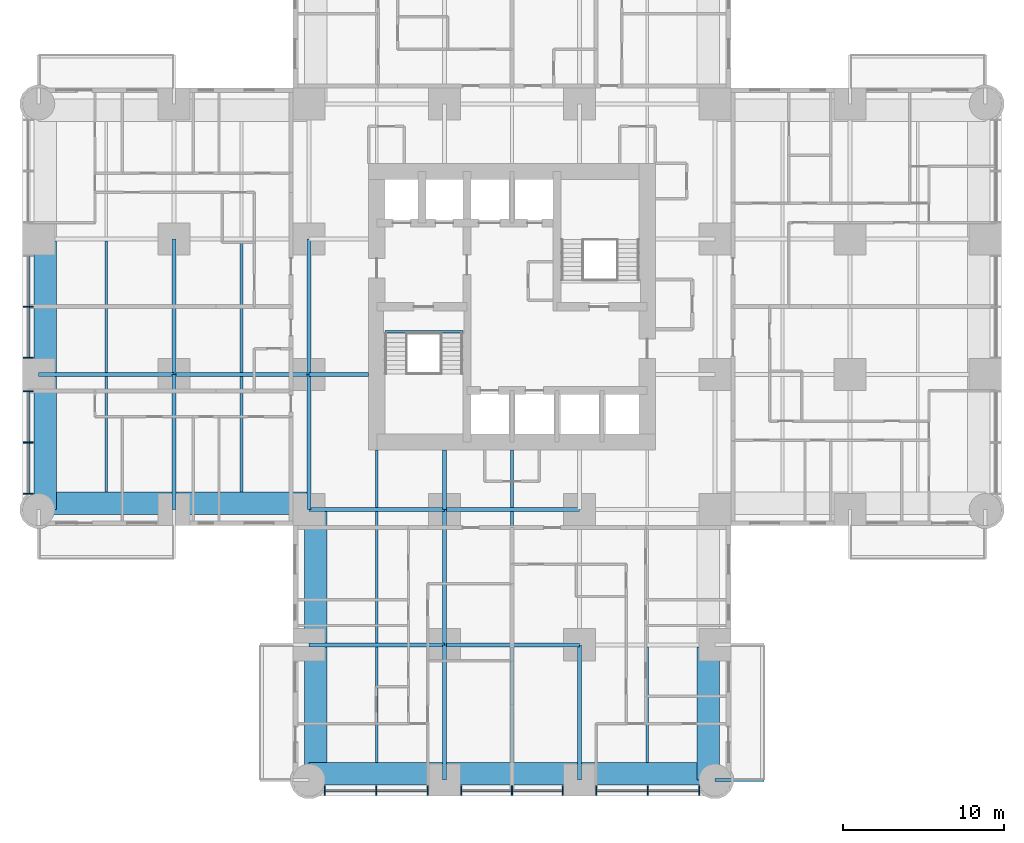
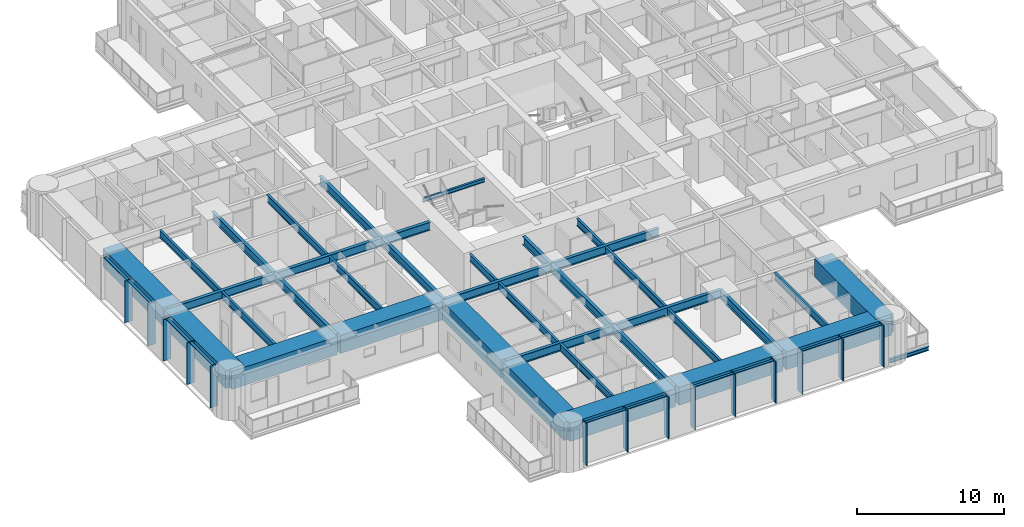
# One storey, part 2 of 17: 38 beams, 24 members, 2 elements without a shape of their own.
"""IFC4 building model written with IfcOpenShell, lengths in metres."""

from ifc_helpers import new_model, si_unit, direction, frame, origin, origin_2d, place, context, subcontext, project, spatial, rectangle, i_section, extrude, material, material_profile, profile_set, type_object, element, aggregate, save


model = new_model("IFC4")

# Units and contexts
model_context = context("Model", 3, precision=1e-05, world=origin(), true_north=direction((0.0, 1.0)))
body_context = subcontext(model_context, "Body", "Model", "MODEL_VIEW")
ifc_project = project(units=[si_unit("LENGTHUNIT", "METRE"), si_unit("AREAUNIT", "SQUARE_METRE"), si_unit("VOLUMEUNIT", "CUBIC_METRE"), si_unit("PLANEANGLEUNIT", "RADIAN"), si_unit("MASSUNIT", "GRAM", prefix="KILO")], contexts=[model_context])

# Site, building, storey
site_placement = place(None, origin())
site = spatial("IfcSite", under=ifc_project, at=site_placement, CompositionType="ELEMENT")
building_placement = place(site_placement, origin())
building = spatial("IfcBuilding", under=site, at=building_placement, Name="Torre Alcanfor", CompositionType="ELEMENT")
storey_placement = place(building_placement, frame((0.0, 0.0, 95.699951171875)))
storey = spatial("IfcBuildingStorey", under=building, at=storey_placement, Name="L24", CompositionType="ELEMENT", Elevation=95.699951171875)

# Beam
ifc_material_1 = material(Name="Steel ASTM A992 Grade 50", Category="steel")
ifc_material_profile_1 = material_profile(ifc_material_1, i_section(OverallWidth=0.205322265625, OverallDepth=0.309814453125, WebThickness=0.00927734375, FlangeThickness=0.016357421875, at=origin_2d()), Name="W12x50")
ifc_profile_set_1 = profile_set([ifc_material_profile_1], Name="Steel ASTM A992 Grade 50")
beam_type_1 = type_object("IfcBeamType", Name="Balcony cantilever beam W12x50", PredefinedType="BEAM", material=ifc_profile_set_1)
beam_1_placement = place(storey_placement, frame((42.0, 0.0, -0.35498046875), z_axis=(1.0, 0.0, 0.0), x_axis=(0.0, 1.0, 0.0)))
element("IfcBeam", 1, at=beam_1_placement, inside=storey, type_object=beam_type_1, Name="Balcony cantilever beam L24-S1 2", PredefinedType="BEAM", context=body_context, shape_type="SweptSolid", body=[
    extrude(i_section(OverallWidth=0.205322265625, OverallDepth=0.309814453125, WebThickness=0.00927734375, FlangeThickness=0.016357421875, at=origin_2d()), origin(), (0.0, 0.0, 1.0), 3.050048828125),
])

# Curtain wall, members
ifc_material_2 = material(Name="Aluminium and glass", Category="aluminium")
curtain_wall_type = type_object("IfcCurtainWallType", Name="CW-A unitised apartment glazing with vertical FIN", PredefinedType="NOTDEFINED", material=ifc_material_2)
curtain_wall_1_placement = place(storey_placement, origin())
curtain_wall_1 = element("IfcCurtainWall", 2, at=curtain_wall_1_placement, inside=storey, type_object=curtain_wall_type, Name="Curtain wall CW-A L24 2", PredefinedType="NOTDEFINED")
ifc_material_3 = material(Name="Bronze anodised aluminium", Category="aluminium")
ifc_material_profile_2 = material_profile(ifc_material_3, rectangle(XDim=0.60009765625, YDim=0.06494140625, at=origin_2d()), Name="CW-A mullion 65x600")
ifc_profile_set_2 = profile_set([ifc_material_profile_2], Name="Bronze anodised aluminium")
member_type_1 = type_object("IfcMemberType", Name="CW-A mullion with vertical FIN 65x600", PredefinedType="MULLION", material=ifc_profile_set_2)
member_1_placement = place(storey_placement, frame((-0.64990234375, 29.39990234375, 0.0), z_axis=(0.0, 0.0, 1.0), x_axis=(1.0, 0.0, 0.0)))
member_1 = element("IfcMember", 3, at=member_1_placement, type_object=member_type_1, Name="CW-A mullion 2.2", PredefinedType="MULLION", context=body_context, shape_type="SweptSolid", body=[
    extrude(rectangle(XDim=0.60009765625, YDim=0.06494140625, at=origin_2d()), origin(), (0.0, 0.0, 1.0), 3.449951171875),
])
member_2_placement = place(storey_placement, frame((-0.64990234375, 26.237548828125, 0.0), z_axis=(0.0, 0.0, 1.0), x_axis=(1.0, 0.0, 0.0)))
member_2 = element("IfcMember", 4, at=member_2_placement, type_object=member_type_1, Name="CW-A mullion 2.3", PredefinedType="MULLION", context=body_context, shape_type="SweptSolid", body=[
    extrude(rectangle(XDim=0.60009765625, YDim=0.06494140625, at=origin_2d()), origin(), (0.0, 0.0, 1.0), 3.449951171875),
])
member_3_placement = place(storey_placement, frame((-0.64990234375, 24.16259765625, 0.0), z_axis=(0.0, 0.0, 1.0), x_axis=(1.0, 0.0, 0.0)))
member_3 = element("IfcMember", 5, at=member_3_placement, type_object=member_type_1, Name="CW-A mullion 3.1", PredefinedType="MULLION", context=body_context, shape_type="SweptSolid", body=[
    extrude(rectangle(XDim=0.60009765625, YDim=0.06494140625, at=origin_2d()), origin(), (0.0, 0.0, 1.0), 3.449951171875),
])
member_4_placement = place(storey_placement, frame((-0.64990234375, 20.968505859375, 0.0), z_axis=(0.0, 0.0, 1.0), x_axis=(1.0, 0.0, 0.0)))
member_4 = element("IfcMember", 6, at=member_4_placement, type_object=member_type_1, Name="CW-A mullion 3.2", PredefinedType="MULLION", context=body_context, shape_type="SweptSolid", body=[
    extrude(rectangle(XDim=0.60009765625, YDim=0.06494140625, at=origin_2d()), origin(), (0.0, 0.0, 1.0), 3.449951171875),
])
member_5_placement = place(storey_placement, frame((-0.64990234375, 17.7744140625, 0.0), z_axis=(0.0, 0.0, 1.0), x_axis=(1.0, 0.0, 0.0)))
member_5 = element("IfcMember", 7, at=member_5_placement, type_object=member_type_1, Name="CW-A mullion 3.3", PredefinedType="MULLION", context=body_context, shape_type="SweptSolid", body=[
    extrude(rectangle(XDim=0.60009765625, YDim=0.06494140625, at=origin_2d()), origin(), (0.0, 0.0, 1.0), 3.449951171875),
])

curtain_wall_2_placement = place(storey_placement, origin())
curtain_wall_2 = element("IfcCurtainWall", 8, at=curtain_wall_2_placement, inside=storey, type_object=curtain_wall_type, Name="Curtain wall CW-A L24 5", PredefinedType="NOTDEFINED")
member_6_placement = place(storey_placement, frame((17.7744140625, -0.64990234375, 0.0), z_axis=(0.0, 0.0, 1.0), x_axis=(0.0, 1.0, 0.0)))
member_6 = element("IfcMember", 9, at=member_6_placement, type_object=member_type_1, Name="CW-A mullion 1.1", PredefinedType="MULLION", context=body_context, shape_type="SweptSolid", body=[
    extrude(rectangle(XDim=0.60009765625, YDim=0.06494140625, at=origin_2d()), origin(), (0.0, 0.0, 1.0), 3.449951171875),
])
member_7_placement = place(storey_placement, frame((20.968505859375, -0.64990234375, 0.0), z_axis=(0.0, 0.0, 1.0), x_axis=(0.0, 1.0, 0.0)))
member_7 = element("IfcMember", 10, at=member_7_placement, type_object=member_type_1, Name="CW-A mullion 1.2", PredefinedType="MULLION", context=body_context, shape_type="SweptSolid", body=[
    extrude(rectangle(XDim=0.60009765625, YDim=0.06494140625, at=origin_2d()), origin(), (0.0, 0.0, 1.0), 3.449951171875),
])
member_8_placement = place(storey_placement, frame((24.16259765625, -0.64990234375, 0.0), z_axis=(0.0, 0.0, 1.0), x_axis=(0.0, 1.0, 0.0)))
member_8 = element("IfcMember", 11, at=member_8_placement, type_object=member_type_1, Name="CW-A mullion 1.3", PredefinedType="MULLION", context=body_context, shape_type="SweptSolid", body=[
    extrude(rectangle(XDim=0.60009765625, YDim=0.06494140625, at=origin_2d()), origin(), (0.0, 0.0, 1.0), 3.449951171875),
])
member_9_placement = place(storey_placement, frame((26.237548828125, -0.64990234375, 0.0), z_axis=(0.0, 0.0, 1.0), x_axis=(0.0, 1.0, 0.0)))
member_9 = element("IfcMember", 12, at=member_9_placement, type_object=member_type_1, Name="CW-A mullion 2.1", PredefinedType="MULLION", context=body_context, shape_type="SweptSolid", body=[
    extrude(rectangle(XDim=0.60009765625, YDim=0.06494140625, at=origin_2d()), origin(), (0.0, 0.0, 1.0), 3.449951171875),
])
member_10_placement = place(storey_placement, frame((29.39990234375, -0.64990234375, 0.0), z_axis=(0.0, 0.0, 1.0), x_axis=(0.0, 1.0, 0.0)))
member_10 = element("IfcMember", 13, at=member_10_placement, type_object=member_type_1, Name="CW-A mullion 2.2", PredefinedType="MULLION", context=body_context, shape_type="SweptSolid", body=[
    extrude(rectangle(XDim=0.60009765625, YDim=0.06494140625, at=origin_2d()), origin(), (0.0, 0.0, 1.0), 3.449951171875),
])
member_11_placement = place(storey_placement, frame((32.5625, -0.64990234375, 0.0), z_axis=(0.0, 0.0, 1.0), x_axis=(0.0, 1.0, 0.0)))
member_11 = element("IfcMember", 14, at=member_11_placement, type_object=member_type_1, Name="CW-A mullion 2.3", PredefinedType="MULLION", context=body_context, shape_type="SweptSolid", body=[
    extrude(rectangle(XDim=0.60009765625, YDim=0.06494140625, at=origin_2d()), origin(), (0.0, 0.0, 1.0), 3.449951171875),
])
member_12_placement = place(storey_placement, frame((34.637451171875, -0.64990234375, 0.0), z_axis=(0.0, 0.0, 1.0), x_axis=(0.0, 1.0, 0.0)))
member_12 = element("IfcMember", 15, at=member_12_placement, type_object=member_type_1, Name="CW-A mullion 3.1", PredefinedType="MULLION", context=body_context, shape_type="SweptSolid", body=[
    extrude(rectangle(XDim=0.60009765625, YDim=0.06494140625, at=origin_2d()), origin(), (0.0, 0.0, 1.0), 3.449951171875),
])
member_13_placement = place(storey_placement, frame((37.83154296875, -0.64990234375, 0.0), z_axis=(0.0, 0.0, 1.0), x_axis=(0.0, 1.0, 0.0)))
member_13 = element("IfcMember", 16, at=member_13_placement, type_object=member_type_1, Name="CW-A mullion 3.2", PredefinedType="MULLION", context=body_context, shape_type="SweptSolid", body=[
    extrude(rectangle(XDim=0.60009765625, YDim=0.06494140625, at=origin_2d()), origin(), (0.0, 0.0, 1.0), 3.449951171875),
])
member_14_placement = place(storey_placement, frame((41.025390625, -0.64990234375, 0.0), z_axis=(0.0, 0.0, 1.0), x_axis=(0.0, 1.0, 0.0)))
member_14 = element("IfcMember", 17, at=member_14_placement, type_object=member_type_1, Name="CW-A mullion 3.3", PredefinedType="MULLION", context=body_context, shape_type="SweptSolid", body=[
    extrude(rectangle(XDim=0.60009765625, YDim=0.06494140625, at=origin_2d()), origin(), (0.0, 0.0, 1.0), 3.449951171875),
])

# Member
ifc_material_4 = material(Name="Extruded aluminium", Category="aluminium")
ifc_material_profile_3 = material_profile(ifc_material_4, rectangle(XDim=0.199951171875, YDim=0.06494140625, at=origin_2d()), Name="CW-A transom 200x65")
ifc_profile_set_3 = profile_set([ifc_material_profile_3], Name="Extruded aluminium")
member_type_2 = type_object("IfcMemberType", Name="CW-A transom 65x200", PredefinedType="USERDEFINED", material=ifc_profile_set_3)
member_15_placement = place(storey_placement, frame((-0.64990234375, 32.530029296875, 3.41748046875), z_axis=(0.0, -1.0, 0.0), x_axis=(1.0, 0.0, 0.0)))
member_15 = element("IfcMember", 18, at=member_15_placement, type_object=member_type_2, Name="CW-A transom 2.1.2", ObjectType="TRANSOM", PredefinedType="USERDEFINED", context=body_context, shape_type="SweptSolid", body=[
    extrude(rectangle(XDim=0.199951171875, YDim=0.06494140625, at=origin_2d()), origin(), (0.0, 0.0, 1.0), 3.097412109375),
])

member_16_placement = place(storey_placement, frame((-0.64990234375, 29.367431640625, 3.41748046875), z_axis=(0.0, -1.0, 0.0), x_axis=(1.0, 0.0, 0.0)))
member_16 = element("IfcMember", 19, at=member_16_placement, type_object=member_type_2, Name="CW-A transom 2.2.2", ObjectType="TRANSOM", PredefinedType="USERDEFINED", context=body_context, shape_type="SweptSolid", body=[
    extrude(rectangle(XDim=0.199951171875, YDim=0.06494140625, at=origin_2d()), origin(), (0.0, 0.0, 1.0), 3.097412109375),
])

member_17_placement = place(storey_placement, frame((-0.64990234375, 24.1298828125, 3.41748046875), z_axis=(0.0, -1.0, 0.0), x_axis=(1.0, 0.0, 0.0)))
member_17 = element("IfcMember", 20, at=member_17_placement, type_object=member_type_2, Name="CW-A transom 3.1.2", ObjectType="TRANSOM", PredefinedType="USERDEFINED", context=body_context, shape_type="SweptSolid", body=[
    extrude(rectangle(XDim=0.199951171875, YDim=0.06494140625, at=origin_2d()), origin(), (0.0, 0.0, 1.0), 3.12890625),
])

member_18_placement = place(storey_placement, frame((-0.64990234375, 20.93603515625, 3.41748046875), z_axis=(0.0, -1.0, 0.0), x_axis=(1.0, 0.0, 0.0)))
member_18 = element("IfcMember", 21, at=member_18_placement, type_object=member_type_2, Name="CW-A transom 3.2.2", ObjectType="TRANSOM", PredefinedType="USERDEFINED", context=body_context, shape_type="SweptSolid", body=[
    extrude(rectangle(XDim=0.199951171875, YDim=0.06494140625, at=origin_2d()), origin(), (0.0, 0.0, 1.0), 3.129150390625),
])

aggregate(curtain_wall_1, [member_1, member_2, member_15, member_16, member_3, member_4, member_5, member_17, member_18])

member_19_placement = place(storey_placement, frame((17.806884765625, -0.64990234375, 3.41748046875), z_axis=(1.0, 0.0, 0.0), x_axis=(0.0, 1.0, 0.0)))
member_19 = element("IfcMember", 22, at=member_19_placement, type_object=member_type_2, Name="CW-A transom 1.1.2", ObjectType="TRANSOM", PredefinedType="USERDEFINED", context=body_context, shape_type="SweptSolid", body=[
    extrude(rectangle(XDim=0.199951171875, YDim=0.06494140625, at=origin_2d()), origin(), (0.0, 0.0, 1.0), 3.129150390625),
])

member_20_placement = place(storey_placement, frame((21.0009765625, -0.64990234375, 3.41748046875), z_axis=(1.0, 0.0, 0.0), x_axis=(0.0, 1.0, 0.0)))
member_20 = element("IfcMember", 23, at=member_20_placement, type_object=member_type_2, Name="CW-A transom 1.2.2", ObjectType="TRANSOM", PredefinedType="USERDEFINED", context=body_context, shape_type="SweptSolid", body=[
    extrude(rectangle(XDim=0.199951171875, YDim=0.06494140625, at=origin_2d()), origin(), (0.0, 0.0, 1.0), 3.12890625),
])

member_21_placement = place(storey_placement, frame((26.27001953125, -0.64990234375, 3.41748046875), z_axis=(1.0, 0.0, 0.0), x_axis=(0.0, 1.0, 0.0)))
member_21 = element("IfcMember", 24, at=member_21_placement, type_object=member_type_2, Name="CW-A transom 2.1.2", ObjectType="TRANSOM", PredefinedType="USERDEFINED", context=body_context, shape_type="SweptSolid", body=[
    extrude(rectangle(XDim=0.199951171875, YDim=0.06494140625, at=origin_2d()), origin(), (0.0, 0.0, 1.0), 3.097412109375),
])

member_22_placement = place(storey_placement, frame((29.4326171875, -0.64990234375, 3.41748046875), z_axis=(1.0, 0.0, 0.0), x_axis=(0.0, 1.0, 0.0)))
member_22 = element("IfcMember", 25, at=member_22_placement, type_object=member_type_2, Name="CW-A transom 2.2.2", ObjectType="TRANSOM", PredefinedType="USERDEFINED", context=body_context, shape_type="SweptSolid", body=[
    extrude(rectangle(XDim=0.199951171875, YDim=0.06494140625, at=origin_2d()), origin(), (0.0, 0.0, 1.0), 3.097412109375),
])

member_23_placement = place(storey_placement, frame((34.669921875, -0.64990234375, 3.41748046875), z_axis=(1.0, 0.0, 0.0), x_axis=(0.0, 1.0, 0.0)))
member_23 = element("IfcMember", 26, at=member_23_placement, type_object=member_type_2, Name="CW-A transom 3.1.2", ObjectType="TRANSOM", PredefinedType="USERDEFINED", context=body_context, shape_type="SweptSolid", body=[
    extrude(rectangle(XDim=0.199951171875, YDim=0.06494140625, at=origin_2d()), origin(), (0.0, 0.0, 1.0), 3.129150390625),
])

member_24_placement = place(storey_placement, frame((37.864013671875, -0.64990234375, 3.41748046875), z_axis=(1.0, 0.0, 0.0), x_axis=(0.0, 1.0, 0.0)))
member_24 = element("IfcMember", 27, at=member_24_placement, type_object=member_type_2, Name="CW-A transom 3.2.2", ObjectType="TRANSOM", PredefinedType="USERDEFINED", context=body_context, shape_type="SweptSolid", body=[
    extrude(rectangle(XDim=0.199951171875, YDim=0.06494140625, at=origin_2d()), origin(), (0.0, 0.0, 1.0), 3.12890625),
])

aggregate(curtain_wall_2, [member_6, member_7, member_8, member_19, member_20, member_9, member_10, member_11, member_21, member_22, member_12, member_13, member_14, member_23, member_24])

# Beams
ifc_material_5 = material(Name="Steel ASTM A992 Grade 50", Category="steel")
ifc_material_profile_4 = material_profile(ifc_material_5, i_section(OverallWidth=0.25390625, OverallDepth=0.683349609375, WebThickness=0.012451171875, FlangeThickness=0.01904296875, at=origin_2d()), Name="W27x94")
ifc_profile_set_4 = profile_set([ifc_material_profile_4], Name="Steel ASTM A992 Grade 50")
beam_type_2 = type_object("IfcBeamType", Name="Girder W27x94", PredefinedType="BEAM", material=ifc_profile_set_4)
beam_2_placement = place(storey_placement, frame((16.800048828125, 8.39990234375, 3.1083984375), z_axis=(1.0, 0.0, 0.0), x_axis=(0.0, 1.0, 0.0)))
element("IfcBeam", 28, at=beam_2_placement, inside=storey, type_object=beam_type_2, Name="Beam 3D-4D under L25", PredefinedType="BEAM", context=body_context, shape_type="SweptSolid", body=[
    extrude(i_section(OverallWidth=0.25390625, OverallDepth=0.683349609375, WebThickness=0.012451171875, FlangeThickness=0.01904296875, at=origin_2d()), origin(), (0.0, 0.0, 1.0), 8.39990234375),
])
beam_3_placement = place(storey_placement, frame((25.199951171875, 8.39990234375, 3.1083984375), z_axis=(1.0, 0.0, 0.0), x_axis=(0.0, 1.0, 0.0)))
element("IfcBeam", 29, at=beam_3_placement, inside=storey, type_object=beam_type_2, Name="Beam 4D-5D under L25", PredefinedType="BEAM", context=body_context, shape_type="SweptSolid", body=[
    extrude(i_section(OverallWidth=0.25390625, OverallDepth=0.683349609375, WebThickness=0.012451171875, FlangeThickness=0.01904296875, at=origin_2d()), origin(), (0.0, 0.0, 1.0), 8.400146484375),
])
beam_4_placement = place(storey_placement, frame((16.800048828125, 16.800048828125, 3.1083984375), z_axis=(1.0, 0.0, 0.0), x_axis=(0.0, 1.0, 0.0)))
element("IfcBeam", 30, at=beam_4_placement, inside=storey, type_object=beam_type_2, Name="Beam 3E-4E under L25", PredefinedType="BEAM", context=body_context, shape_type="SweptSolid", body=[
    extrude(i_section(OverallWidth=0.25390625, OverallDepth=0.683349609375, WebThickness=0.012451171875, FlangeThickness=0.01904296875, at=origin_2d()), origin(), (0.0, 0.0, 1.0), 8.39990234375),
])
beam_5_placement = place(storey_placement, frame((25.199951171875, 16.800048828125, 3.1083984375), z_axis=(1.0, 0.0, 0.0), x_axis=(0.0, 1.0, 0.0)))
element("IfcBeam", 31, at=beam_5_placement, inside=storey, type_object=beam_type_2, Name="Beam 4E-5E under L25", PredefinedType="BEAM", context=body_context, shape_type="SweptSolid", body=[
    extrude(i_section(OverallWidth=0.25390625, OverallDepth=0.683349609375, WebThickness=0.012451171875, FlangeThickness=0.01904296875, at=origin_2d()), origin(), (0.0, 0.0, 1.0), 8.400146484375),
])
beam_6_placement = place(storey_placement, frame((0.0, 25.199951171875, 3.1083984375), z_axis=(1.0, 0.0, 0.0), x_axis=(0.0, 1.0, 0.0)))
element("IfcBeam", 32, at=beam_6_placement, inside=storey, type_object=beam_type_2, Name="Beam 1F-2F under L25", PredefinedType="BEAM", context=body_context, shape_type="SweptSolid", body=[
    extrude(i_section(OverallWidth=0.25390625, OverallDepth=0.683349609375, WebThickness=0.012451171875, FlangeThickness=0.01904296875, at=origin_2d()), origin(), (0.0, 0.0, 1.0), 8.39990234375),
])
beam_7_placement = place(storey_placement, frame((8.39990234375, 25.199951171875, 3.1083984375), z_axis=(1.0, 0.0, 0.0), x_axis=(0.0, 1.0, 0.0)))
element("IfcBeam", 33, at=beam_7_placement, inside=storey, type_object=beam_type_2, Name="Beam 2F-3F under L25", PredefinedType="BEAM", context=body_context, shape_type="SweptSolid", body=[
    extrude(i_section(OverallWidth=0.25390625, OverallDepth=0.683349609375, WebThickness=0.012451171875, FlangeThickness=0.01904296875, at=origin_2d()), origin(), (0.0, 0.0, 1.0), 8.400146484375),
])
beam_8_placement = place(storey_placement, frame((8.39990234375, 16.800048828125, 3.1083984375), z_axis=(0.0, 1.0, 0.0), x_axis=(-1.0, 0.0, 0.0)))
element("IfcBeam", 34, at=beam_8_placement, inside=storey, type_object=beam_type_2, Name="Beam 2E-2F under L25", PredefinedType="BEAM", context=body_context, shape_type="SweptSolid", body=[
    extrude(i_section(OverallWidth=0.25390625, OverallDepth=0.683349609375, WebThickness=0.012451171875, FlangeThickness=0.01904296875, at=origin_2d()), origin(), (0.0, 0.0, 1.0), 8.39990234375),
])
beam_9_placement = place(storey_placement, frame((8.39990234375, 25.199951171875, 3.1083984375), z_axis=(0.0, 1.0, 0.0), x_axis=(-1.0, 0.0, 0.0)))
element("IfcBeam", 35, at=beam_9_placement, inside=storey, type_object=beam_type_2, Name="Beam 2F-2G under L25", PredefinedType="BEAM", context=body_context, shape_type="SweptSolid", body=[
    extrude(i_section(OverallWidth=0.25390625, OverallDepth=0.683349609375, WebThickness=0.012451171875, FlangeThickness=0.01904296875, at=origin_2d()), origin(), (0.0, 0.0, 1.0), 8.400146484375),
])
beam_10_placement = place(storey_placement, frame((16.800048828125, 16.800048828125, 3.1083984375), z_axis=(0.0, 1.0, 0.0), x_axis=(-1.0, 0.0, 0.0)))
element("IfcBeam", 36, at=beam_10_placement, inside=storey, type_object=beam_type_2, Name="Beam 3E-3F under L25", PredefinedType="BEAM", context=body_context, shape_type="SweptSolid", body=[
    extrude(i_section(OverallWidth=0.25390625, OverallDepth=0.683349609375, WebThickness=0.012451171875, FlangeThickness=0.01904296875, at=origin_2d()), origin(), (0.0, 0.0, 1.0), 8.39990234375),
])
beam_11_placement = place(storey_placement, frame((16.800048828125, 25.199951171875, 3.1083984375), z_axis=(0.0, 1.0, 0.0), x_axis=(-1.0, 0.0, 0.0)))
element("IfcBeam", 37, at=beam_11_placement, inside=storey, type_object=beam_type_2, Name="Beam 3F-3G under L25", PredefinedType="BEAM", context=body_context, shape_type="SweptSolid", body=[
    extrude(i_section(OverallWidth=0.25390625, OverallDepth=0.683349609375, WebThickness=0.012451171875, FlangeThickness=0.01904296875, at=origin_2d()), origin(), (0.0, 0.0, 1.0), 8.400146484375),
])
beam_12_placement = place(storey_placement, frame((25.199951171875, 0.0, 3.1083984375), z_axis=(0.0, 1.0, 0.0), x_axis=(-1.0, 0.0, 0.0)))
element("IfcBeam", 38, at=beam_12_placement, inside=storey, type_object=beam_type_2, Name="Beam 4C-4D under L25", PredefinedType="BEAM", context=body_context, shape_type="SweptSolid", body=[
    extrude(i_section(OverallWidth=0.25390625, OverallDepth=0.683349609375, WebThickness=0.012451171875, FlangeThickness=0.01904296875, at=origin_2d()), origin(), (0.0, 0.0, 1.0), 8.39990234375),
])
beam_13_placement = place(storey_placement, frame((25.199951171875, 8.39990234375, 3.1083984375), z_axis=(0.0, 1.0, 0.0), x_axis=(-1.0, 0.0, 0.0)))
element("IfcBeam", 39, at=beam_13_placement, inside=storey, type_object=beam_type_2, Name="Beam 4D-4E under L25", PredefinedType="BEAM", context=body_context, shape_type="SweptSolid", body=[
    extrude(i_section(OverallWidth=0.25390625, OverallDepth=0.683349609375, WebThickness=0.012451171875, FlangeThickness=0.01904296875, at=origin_2d()), origin(), (0.0, 0.0, 1.0), 8.400146484375),
])
beam_14_placement = place(storey_placement, frame((33.60009765625, 0.0, 3.1083984375), z_axis=(0.0, 1.0, 0.0), x_axis=(-1.0, 0.0, 0.0)))
element("IfcBeam", 40, at=beam_14_placement, inside=storey, type_object=beam_type_2, Name="Beam 5C-5D under L25", PredefinedType="BEAM", context=body_context, shape_type="SweptSolid", body=[
    extrude(i_section(OverallWidth=0.25390625, OverallDepth=0.683349609375, WebThickness=0.012451171875, FlangeThickness=0.01904296875, at=origin_2d()), origin(), (0.0, 0.0, 1.0), 8.39990234375),
])
ifc_material_6 = material(Name="Steel ASTM A992 Grade 50", Category="steel")
ifc_material_profile_5 = material_profile(ifc_material_6, i_section(OverallWidth=0.25390625, OverallDepth=0.683349609375, WebThickness=0.012451171875, FlangeThickness=0.01904296875, at=origin_2d()), Name="W27x94")
ifc_profile_set_5 = profile_set([ifc_material_profile_5], Name="Steel ASTM A992 Grade 50")
beam_type_3 = type_object("IfcBeamType", Name="Girder, part bay W27x94", PredefinedType="BEAM", material=ifc_profile_set_5)
for number, where, z_axis, x_axis, name in (
    (41, (25.199951171875, 16.800048828125, 3.1083984375), (0.0, 1.0, 0.0), (-1.0, 0.0, 0.0), "Beam 4E-420_5 under L25"),
    (42, (16.800048828125, 25.199951171875, 3.1083984375), (1.0, 0.0, 0.0), (0.0, 1.0, 0.0), "Beam 3F-20_5F under L25"),
):
    element("IfcBeam", number, at=place(storey_placement, frame(where, z_axis=z_axis, x_axis=x_axis)), inside=storey, type_object=beam_type_3, Name=name, PredefinedType="BEAM", context=body_context, shape_type="SweptSolid", body=[
        extrude(i_section(OverallWidth=0.25390625, OverallDepth=0.683349609375, WebThickness=0.012451171875, FlangeThickness=0.01904296875, at=origin_2d()), origin(), (0.0, 0.0, 1.0), 3.699951171875),
    ])
ifc_material_7 = material(Name="Concrete f'c 70 MPa", Category="concrete")
ifc_material_profile_6 = material_profile(ifc_material_7, rectangle(XDim=1.39990234375, YDim=1.5, at=origin_2d()), Name="1400x1500")
ifc_profile_set_6 = profile_set([ifc_material_profile_6], Name="Concrete f'c 70 MPa")
beam_type_4 = type_object("IfcBeamType", Name="RC perimeter beam 1400x1500", PredefinedType="BEAM", material=ifc_profile_set_6)
beam_15_placement = place(storey_placement, frame((16.800048828125, 0.39990234375, 2.699951171875), z_axis=(1.0, 0.0, 0.0), x_axis=(0.0, 1.0, 0.0)))
element("IfcBeam", 43, at=beam_15_placement, inside=storey, type_object=beam_type_4, Name="Beam 3C-4C under L25", PredefinedType="BEAM", context=body_context, shape_type="SweptSolid", body=[
    extrude(rectangle(XDim=1.39990234375, YDim=1.5, at=origin_2d()), origin(), (0.0, 0.0, 1.0), 8.27294921875),
])
beam_16_placement = place(storey_placement, frame((25.326904296875, 0.39990234375, 2.699951171875), z_axis=(1.0, 0.0, 0.0), x_axis=(0.0, 1.0, 0.0)))
element("IfcBeam", 44, at=beam_16_placement, inside=storey, type_object=beam_type_4, Name="Beam 4C-5C under L25", PredefinedType="BEAM", context=body_context, shape_type="SweptSolid", body=[
    extrude(rectangle(XDim=1.39990234375, YDim=1.5, at=origin_2d()), origin(), (0.0, 0.0, 1.0), 8.14599609375),
])
for number, where, z_axis, x_axis, name in (
    (45, (33.72705078125, 0.39990234375, 2.699951171875), (1.0, 0.0, 0.0), (0.0, 1.0, 0.0), "Beam 5C-6C under L25"),
    (46, (0.0, 17.199951171875, 2.699951171875), (1.0, 0.0, 0.0), (0.0, 1.0, 0.0), "Beam 1E-2E under L25"),
):
    element("IfcBeam", number, at=place(storey_placement, frame(where, z_axis=z_axis, x_axis=x_axis)), inside=storey, type_object=beam_type_4, Name=name, PredefinedType="BEAM", context=body_context, shape_type="SweptSolid", body=[
        extrude(rectangle(XDim=1.39990234375, YDim=1.5, at=origin_2d()), origin(), (0.0, 0.0, 1.0), 8.27294921875),
    ])
beam_17_placement = place(storey_placement, frame((8.527099609375, 17.199951171875, 2.699951171875), z_axis=(1.0, 0.0, 0.0), x_axis=(0.0, 1.0, 0.0)))
element("IfcBeam", 47, at=beam_17_placement, inside=storey, type_object=beam_type_4, Name="Beam 2E-3E under L25", PredefinedType="BEAM", context=body_context, shape_type="SweptSolid", body=[
    extrude(rectangle(XDim=1.39990234375, YDim=1.5, at=origin_2d()), origin(), (0.0, 0.0, 1.0), 8.39990234375),
])
beam_18_placement = place(storey_placement, frame((0.39990234375, 16.800048828125, 2.699951171875), z_axis=(0.0, 1.0, 0.0), x_axis=(-1.0, 0.0, 0.0)))
element("IfcBeam", 48, at=beam_18_placement, inside=storey, type_object=beam_type_4, Name="Beam 1E-1F under L25", PredefinedType="BEAM", context=body_context, shape_type="SweptSolid", body=[
    extrude(rectangle(XDim=1.39990234375, YDim=1.5, at=origin_2d()), origin(), (0.0, 0.0, 1.0), 8.27294921875),
])
beam_19_placement = place(storey_placement, frame((0.39990234375, 25.326904296875, 2.699951171875), z_axis=(0.0, 1.0, 0.0), x_axis=(-1.0, 0.0, 0.0)))
element("IfcBeam", 49, at=beam_19_placement, inside=storey, type_object=beam_type_4, Name="Beam 1F-1G under L25", PredefinedType="BEAM", context=body_context, shape_type="SweptSolid", body=[
    extrude(rectangle(XDim=1.39990234375, YDim=1.5, at=origin_2d()), origin(), (0.0, 0.0, 1.0), 8.14599609375),
])
beam_20_placement = place(storey_placement, frame((17.199951171875, 0.0, 2.699951171875), z_axis=(0.0, 1.0, 0.0), x_axis=(-1.0, 0.0, 0.0)))
element("IfcBeam", 50, at=beam_20_placement, inside=storey, type_object=beam_type_4, Name="Beam 3C-3D under L25", PredefinedType="BEAM", context=body_context, shape_type="SweptSolid", body=[
    extrude(rectangle(XDim=1.39990234375, YDim=1.5, at=origin_2d()), origin(), (0.0, 0.0, 1.0), 8.27294921875),
])
beam_21_placement = place(storey_placement, frame((17.199951171875, 8.527099609375, 2.699951171875), z_axis=(0.0, 1.0, 0.0), x_axis=(-1.0, 0.0, 0.0)))
element("IfcBeam", 51, at=beam_21_placement, inside=storey, type_object=beam_type_4, Name="Beam 3D-3E under L25", PredefinedType="BEAM", context=body_context, shape_type="SweptSolid", body=[
    extrude(rectangle(XDim=1.39990234375, YDim=1.5, at=origin_2d()), origin(), (0.0, 0.0, 1.0), 8.14599609375),
])
beam_22_placement = place(storey_placement, frame((41.60009765625, 0.0, 2.699951171875), z_axis=(0.0, 1.0, 0.0), x_axis=(-1.0, 0.0, 0.0)))
element("IfcBeam", 52, at=beam_22_placement, inside=storey, type_object=beam_type_4, Name="Beam 6C-6D under L25", PredefinedType="BEAM", context=body_context, shape_type="SweptSolid", body=[
    extrude(rectangle(XDim=1.39990234375, YDim=1.5, at=origin_2d()), origin(), (0.0, 0.0, 1.0), 8.27294921875),
])
ifc_material_8 = material(Name="Steel ASTM A992 Grade 50", Category="steel")
ifc_material_profile_7 = material_profile(ifc_material_8, i_section(OverallWidth=0.1787109375, OverallDepth=0.60205078125, WebThickness=0.010986328125, FlangeThickness=0.014892578125, at=origin_2d()), Name="W24x62")
ifc_profile_set_7 = profile_set([ifc_material_profile_7], Name="Steel ASTM A992 Grade 50")
beam_type_5 = type_object("IfcBeamType", Name="Secondary beam W24x62", PredefinedType="BEAM", material=ifc_profile_set_7)
beam_23_placement = place(storey_placement, frame((4.199951171875, 17.89990234375, 3.149169921875), z_axis=(0.0, 1.0, 0.0), x_axis=(-1.0, 0.0, 0.0)))
element("IfcBeam", 53, at=beam_23_placement, inside=storey, type_object=beam_type_5, Name="Beam 4_2E-4_2F under L25", PredefinedType="BEAM", context=body_context, shape_type="SweptSolid", body=[
    extrude(i_section(OverallWidth=0.1787109375, OverallDepth=0.60205078125, WebThickness=0.010986328125, FlangeThickness=0.014892578125, at=origin_2d()), origin(), (0.0, 0.0, 1.0), 7.173095703125),
])
beam_24_placement = place(storey_placement, frame((4.199951171875, 25.326904296875, 3.149169921875), z_axis=(0.0, 1.0, 0.0), x_axis=(-1.0, 0.0, 0.0)))
element("IfcBeam", 54, at=beam_24_placement, inside=storey, type_object=beam_type_5, Name="Beam 4_2F-4_2G under L25", PredefinedType="BEAM", context=body_context, shape_type="SweptSolid", body=[
    extrude(i_section(OverallWidth=0.1787109375, OverallDepth=0.60205078125, WebThickness=0.010986328125, FlangeThickness=0.014892578125, at=origin_2d()), origin(), (0.0, 0.0, 1.0), 8.14599609375),
])
beam_25_placement = place(storey_placement, frame((12.60009765625, 17.89990234375, 3.149169921875), z_axis=(0.0, 1.0, 0.0), x_axis=(-1.0, 0.0, 0.0)))
element("IfcBeam", 55, at=beam_25_placement, inside=storey, type_object=beam_type_5, Name="Beam 12_6E-12_6F under L25", PredefinedType="BEAM", context=body_context, shape_type="SweptSolid", body=[
    extrude(i_section(OverallWidth=0.1787109375, OverallDepth=0.60205078125, WebThickness=0.010986328125, FlangeThickness=0.014892578125, at=origin_2d()), origin(), (0.0, 0.0, 1.0), 7.173095703125),
])
beam_26_placement = place(storey_placement, frame((12.60009765625, 25.326904296875, 3.149169921875), z_axis=(0.0, 1.0, 0.0), x_axis=(-1.0, 0.0, 0.0)))
element("IfcBeam", 56, at=beam_26_placement, inside=storey, type_object=beam_type_5, Name="Beam 12_6F-12_6G under L25", PredefinedType="BEAM", context=body_context, shape_type="SweptSolid", body=[
    extrude(i_section(OverallWidth=0.1787109375, OverallDepth=0.60205078125, WebThickness=0.010986328125, FlangeThickness=0.014892578125, at=origin_2d()), origin(), (0.0, 0.0, 1.0), 8.14599609375),
])
beam_27_placement = place(storey_placement, frame((21.0, 1.10009765625, 3.149169921875), z_axis=(0.0, 1.0, 0.0), x_axis=(-1.0, 0.0, 0.0)))
element("IfcBeam", 57, at=beam_27_placement, inside=storey, type_object=beam_type_5, Name="Beam 21C-21D under L25", PredefinedType="BEAM", context=body_context, shape_type="SweptSolid", body=[
    extrude(i_section(OverallWidth=0.1787109375, OverallDepth=0.60205078125, WebThickness=0.010986328125, FlangeThickness=0.014892578125, at=origin_2d()), origin(), (0.0, 0.0, 1.0), 7.1728515625),
])
beam_28_placement = place(storey_placement, frame((21.0, 8.527099609375, 3.149169921875), z_axis=(0.0, 1.0, 0.0), x_axis=(-1.0, 0.0, 0.0)))
element("IfcBeam", 58, at=beam_28_placement, inside=storey, type_object=beam_type_5, Name="Beam 21D-21E under L25", PredefinedType="BEAM", context=body_context, shape_type="SweptSolid", body=[
    extrude(i_section(OverallWidth=0.1787109375, OverallDepth=0.60205078125, WebThickness=0.010986328125, FlangeThickness=0.014892578125, at=origin_2d()), origin(), (0.0, 0.0, 1.0), 8.14599609375),
])
beam_29_placement = place(storey_placement, frame((29.39990234375, 1.10009765625, 3.149169921875), z_axis=(0.0, 1.0, 0.0), x_axis=(-1.0, 0.0, 0.0)))
element("IfcBeam", 59, at=beam_29_placement, inside=storey, type_object=beam_type_5, Name="Beam 29_4C-29_4D under L25", PredefinedType="BEAM", context=body_context, shape_type="SweptSolid", body=[
    extrude(i_section(OverallWidth=0.1787109375, OverallDepth=0.60205078125, WebThickness=0.010986328125, FlangeThickness=0.014892578125, at=origin_2d()), origin(), (0.0, 0.0, 1.0), 7.1728515625),
])
beam_30_placement = place(storey_placement, frame((29.39990234375, 8.527099609375, 3.149169921875), z_axis=(0.0, 1.0, 0.0), x_axis=(-1.0, 0.0, 0.0)))
element("IfcBeam", 60, at=beam_30_placement, inside=storey, type_object=beam_type_5, Name="Beam 29_4D-29_4E under L25", PredefinedType="BEAM", context=body_context, shape_type="SweptSolid", body=[
    extrude(i_section(OverallWidth=0.1787109375, OverallDepth=0.60205078125, WebThickness=0.010986328125, FlangeThickness=0.014892578125, at=origin_2d()), origin(), (0.0, 0.0, 1.0), 8.14599609375),
])
beam_31_placement = place(storey_placement, frame((37.800048828125, 1.10009765625, 3.149169921875), z_axis=(0.0, 1.0, 0.0), x_axis=(-1.0, 0.0, 0.0)))
element("IfcBeam", 61, at=beam_31_placement, inside=storey, type_object=beam_type_5, Name="Beam 37_8C-37_8D under L25", PredefinedType="BEAM", context=body_context, shape_type="SweptSolid", body=[
    extrude(i_section(OverallWidth=0.1787109375, OverallDepth=0.60205078125, WebThickness=0.010986328125, FlangeThickness=0.014892578125, at=origin_2d()), origin(), (0.0, 0.0, 1.0), 7.1728515625),
])
ifc_material_9 = material(Name="Steel ASTM A992 Grade 50", Category="steel")
ifc_material_profile_8 = material_profile(ifc_material_9, i_section(OverallWidth=0.1787109375, OverallDepth=0.60205078125, WebThickness=0.010986328125, FlangeThickness=0.014892578125, at=origin_2d()), Name="W24x62")
ifc_profile_set_8 = profile_set([ifc_material_profile_8], Name="Steel ASTM A992 Grade 50")
beam_type_6 = type_object("IfcBeamType", Name="Secondary beam, part bay W24x62", PredefinedType="BEAM", material=ifc_profile_set_8)
for number, where, z_axis, x_axis, name in (
    (62, (21.0, 16.927001953125, 3.149169921875), (0.0, 1.0, 0.0), (-1.0, 0.0, 0.0), "Beam 21E-2120_5 under L25"),
    (63, (29.39990234375, 16.927001953125, 3.149169921875), (0.0, 1.0, 0.0), (-1.0, 0.0, 0.0), "Beam 29_4E-29_420_5 under L25"),
):
    element("IfcBeam", number, at=place(storey_placement, frame(where, z_axis=z_axis, x_axis=x_axis)), inside=storey, type_object=beam_type_6, Name=name, PredefinedType="BEAM", context=body_context, shape_type="SweptSolid", body=[
        extrude(i_section(OverallWidth=0.1787109375, OverallDepth=0.60205078125, WebThickness=0.010986328125, FlangeThickness=0.014892578125, at=origin_2d()), origin(), (0.0, 0.0, 1.0), 3.572998046875),
    ])
ifc_material_10 = material(Name="Steel ASTM A992 Grade 50", Category="steel")
ifc_material_profile_9 = material_profile(ifc_material_10, i_section(OverallWidth=0.164794921875, OverallDepth=0.309814453125, WebThickness=0.005859375, FlangeThickness=0.009765625, at=origin_2d()), Name="W12x26")
ifc_profile_set_9 = profile_set([ifc_material_profile_9], Name="Steel ASTM A992 Grade 50")
beam_type_7 = type_object("IfcBeamType", Name="Stair landing beam W12x26", PredefinedType="BEAM", material=ifc_profile_set_9)
beam_32_placement = place(storey_placement, frame((21.5, 27.83740234375, 3.2451171875), z_axis=(1.0, 0.0, 0.0), x_axis=(0.0, 1.0, 0.0)))
element("IfcBeam", 64, at=beam_32_placement, inside=storey, type_object=beam_type_7, Name="Landing trimmer S1 L25", PredefinedType="BEAM", context=body_context, shape_type="SweptSolid", body=[
    extrude(i_section(OverallWidth=0.164794921875, OverallDepth=0.309814453125, WebThickness=0.005859375, FlangeThickness=0.009765625, at=origin_2d()), origin(), (0.0, 0.0, 1.0), 4.85009765625),
])

save(model, "model.ifc")
